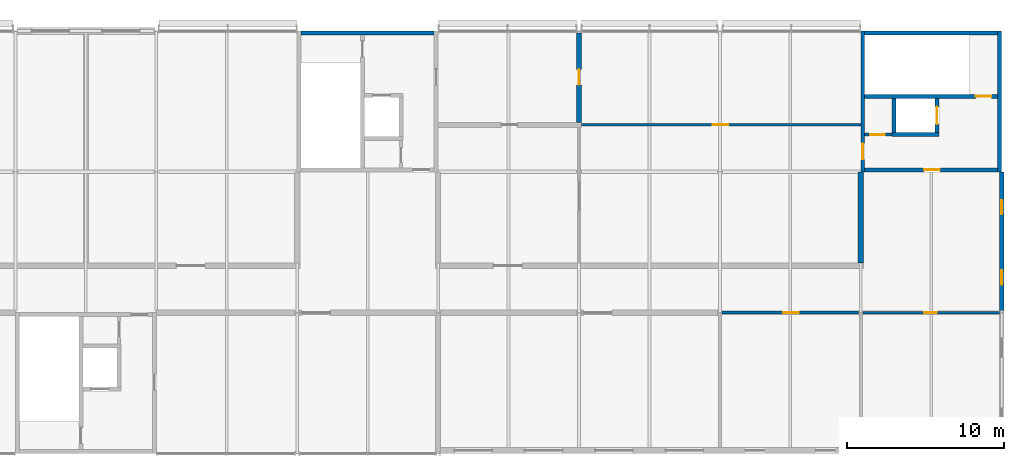
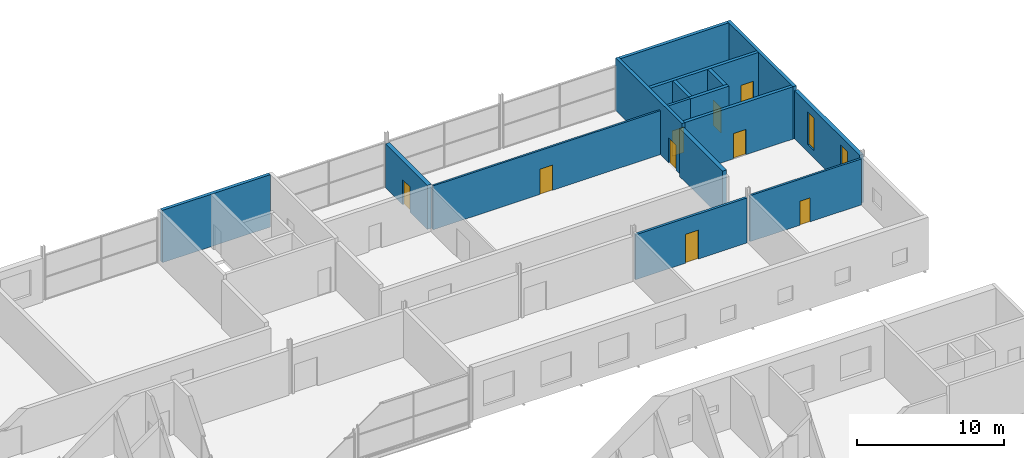
# One storey, part 131 of 138: 16 walls, 9 doors, 2 windows, 11 openings.
"""IFC4 building model written with IfcOpenShell, lengths in metres."""

from ifc_helpers import new_model, si_unit, direction, frame, frame_2d, origin, place, context, subcontext, project, spatial, rectangle, extrude, material, layer, layer_set, type_object, element, fill, save


model = new_model("IFC4")

# Units and contexts
model_context = context("Model", 3, precision=1e-05, world=origin(), true_north=direction((0.0, 1.0)))
body_context = subcontext(model_context, "Body", "Model", "MODEL_VIEW")
ifc_project = project(units=[si_unit("LENGTHUNIT", "METRE"), si_unit("AREAUNIT", "SQUARE_METRE"), si_unit("VOLUMEUNIT", "CUBIC_METRE"), si_unit("PLANEANGLEUNIT", "RADIAN"), si_unit("MASSUNIT", "GRAM", prefix="KILO")], contexts=[model_context])

# Site, building, storey
site_placement = place(None, origin())
site = spatial("IfcSite", under=ifc_project, at=site_placement, CompositionType="ELEMENT")
building_placement = place(site_placement, origin())
building = spatial("IfcBuilding", under=site, at=building_placement, Name="Corbel Yard City Hall", CompositionType="ELEMENT")
storey_placement = place(building_placement, frame((0.0, 0.0, 10.5)))
storey = spatial("IfcBuildingStorey", under=building, at=storey_placement, Name="L02", CompositionType="ELEMENT", Elevation=10.5)

# Wall
ifc_material_1 = material(Name="Concrete N50 (50 MPa)", Category="concrete")
ifc_layer_1 = layer(ifc_material_1, 0.25)
ifc_layer_set_1 = layer_set([ifc_layer_1], Name="Concrete N50 (50 MPa)")
wall_type_1 = type_object("IfcWallType", Name="Core cell wall 250", PredefinedType="SHEAR", material=ifc_layer_set_1)
wall_1_placement = place(storey_placement, frame((135.25, 116.875, 0.0), z_axis=(0.0, 0.0, 1.0), x_axis=(1.0, 0.0, 0.0)))
element("IfcWall", 1, at=wall_1_placement, inside=storey, type_object=wall_type_1, Name="Core PC-N3 north wall", PredefinedType="SHEAR", context=body_context, shape_type="SweptSolid", body=[
    extrude(rectangle(XDim=8.5, YDim=0.25, at=frame_2d((4.25, 0.0))), origin(), (0.0, 0.0, 1.0), 4.35009765625),
])

# Wall, opening, door
wall_2_placement = place(storey_placement, frame((171.125, 108.0, 0.0), z_axis=(0.0, 0.0, 1.0), x_axis=(0.0, 1.0, 0.0)))
wall_2 = element("IfcWall", 2, at=wall_2_placement, inside=storey, type_object=wall_type_1, Name="Core PC-N4 west wall", PredefinedType="SHEAR", context=body_context, shape_type="SweptSolid", body=[
    extrude(rectangle(XDim=9.0, YDim=0.25, at=frame_2d((4.5, 0.0))), origin(), (0.0, 0.0, 1.0), 4.35009765625),
])
opening_1_placement = place(wall_2_placement, frame((0.800048828125, 0.0, 0.0)))
opening_1 = element("IfcOpeningElement", 3, at=opening_1_placement, cuts=wall_2, Name="Opening L02-146", PredefinedType="OPENING", context=body_context, shape_type="SweptSolid", body=[
    extrude(rectangle(XDim=1.0, YDim=2.10009765625, at=frame_2d((0.5, 1.050048828125))), frame((0.0, 0.135009765625, 0.0), z_axis=(0.0, -1.0, 0.0), x_axis=(1.0, 0.0, 0.0)), (0.0, 0.0, 1.0), 0.27001953125),
])
ifc_material_2 = material(Name="Steel Grade G250", Category="steel")
door_type_1 = type_object("IfcDoorType", Name="FS1", OperationType="SINGLE_SWING_LEFT", PredefinedType="DOOR", material=ifc_material_2)
door_1_placement = place(opening_1_placement, origin())
door_1 = element("IfcDoor", 4, at=door_1_placement, inside=storey, type_object=door_type_1, Name="Door Lift Lobby", OperationType="SINGLE_SWING_RIGHT", OverallHeight=2.10009765625, OverallWidth=1.0, PredefinedType="DOOR", context=body_context, shape_type="SweptSolid", body=[
    extrude(rectangle(XDim=1.0, YDim=2.10009765625, at=frame_2d((0.5, 1.050048828125))), frame((0.0, 0.02490234375, 0.0), z_axis=(0.0, -1.0, 0.0), x_axis=(1.0, 0.0, 0.0)), (0.0, 0.0, 1.0), 0.050048828125),
])
fill(opening_1, door_1)

# Wall
wall_3_placement = place(storey_placement, frame((179.875, 108.0, 0.0), z_axis=(0.0, 0.0, 1.0), x_axis=(0.0, 1.0, 0.0)))
element("IfcWall", 5, at=wall_3_placement, inside=storey, type_object=wall_type_1, Name="Core PC-N4 east wall", PredefinedType="SHEAR", context=body_context, shape_type="SweptSolid", body=[
    extrude(rectangle(XDim=9.0, YDim=0.25, at=frame_2d((4.5, 0.0))), origin(), (0.0, 0.0, 1.0), 4.35009765625),
])

# Wall, opening, door
wall_4_placement = place(storey_placement, frame((171.25, 108.125, 0.0), z_axis=(0.0, 0.0, 1.0), x_axis=(1.0, 0.0, 0.0)))
wall_4 = element("IfcWall", 6, at=wall_4_placement, inside=storey, type_object=wall_type_1, Name="Core PC-N4 south wall", PredefinedType="SHEAR", context=body_context, shape_type="SweptSolid", body=[
    extrude(rectangle(XDim=8.5, YDim=0.25, at=frame_2d((4.25, 0.0))), origin(), (0.0, 0.0, 1.0), 4.35009765625),
])
opening_2_placement = place(wall_4_placement, frame((3.800048828125, 0.0, 0.0)))
opening_2 = element("IfcOpeningElement", 7, at=opening_2_placement, cuts=wall_4, Name="Opening L02-145", PredefinedType="OPENING", context=body_context, shape_type="SweptSolid", body=[
    extrude(rectangle(XDim=1.0, YDim=2.10009765625, at=frame_2d((0.5, 1.050048828125))), frame((0.0, 0.135009765625, 0.0), z_axis=(0.0, -1.0, 0.0), x_axis=(1.0, 0.0, 0.0)), (0.0, 0.0, 1.0), 0.27001953125),
])
door_2_placement = place(opening_2_placement, origin())
door_2 = element("IfcDoor", 8, at=door_2_placement, inside=storey, type_object=door_type_1, Name="Door Lift Lobby", OperationType="SINGLE_SWING_RIGHT", OverallHeight=2.10009765625, OverallWidth=1.0, PredefinedType="DOOR", context=body_context, shape_type="SweptSolid", body=[
    extrude(rectangle(XDim=1.0, YDim=2.10009765625, at=frame_2d((0.5, 1.050048828125))), frame((0.0, 0.02490234375, 0.0), z_axis=(0.0, -1.0, 0.0), x_axis=(1.0, 0.0, 0.0)), (0.0, 0.0, 1.0), 0.050048828125),
])
fill(opening_2, door_2)

# Wall
wall_5_placement = place(storey_placement, frame((171.25, 116.875, 0.0), z_axis=(0.0, 0.0, 1.0), x_axis=(1.0, 0.0, 0.0)))
element("IfcWall", 9, at=wall_5_placement, inside=storey, type_object=wall_type_1, Name="Core PC-N4 north wall", PredefinedType="SHEAR", context=body_context, shape_type="SweptSolid", body=[
    extrude(rectangle(XDim=8.5, YDim=0.25, at=frame_2d((4.25, 0.0))), origin(), (0.0, 0.0, 1.0), 4.35009765625),
])

# Wall, openings, windows
ifc_material_3 = material(Name="Sandstone cladding", Category="masonry")
ifc_layer_2 = layer(ifc_material_3, 0.0400390625)
ifc_material_4 = material(Name="Air cavity", Category="air")
ifc_layer_3 = layer(ifc_material_4, 0.0400390625)
ifc_material_5 = material(Name="Concrete block", Category="concrete")
ifc_layer_4 = layer(ifc_material_5, 0.18994140625)
ifc_material_6 = material(Name="Gypsum plasterboard", Category="gypsum")
ifc_layer_5 = layer(ifc_material_6, 0.030029296875)
ifc_layer_set_2 = layer_set([ifc_layer_2, ifc_layer_3, ifc_layer_4, ifc_layer_5], Name="Concrete block")
wall_type_2 = type_object("IfcWallType", Name="EW1", PredefinedType="SOLIDWALL", material=ifc_layer_set_2)
wall_6_placement = place(storey_placement, frame((180.0, 99.126953125, 0.0), z_axis=(0.0, 0.0, 1.0), x_axis=(0.0, 1.0, 0.0)))
wall_6 = element("IfcWall", 10, at=wall_6_placement, inside=storey, type_object=wall_type_2, Name="External wall", PredefinedType="SOLIDWALL", context=body_context, shape_type="SweptSolid", body=[
    extrude(rectangle(XDim=8.873046875, YDim=0.300048828125, at=frame_2d((4.4365234375, 0.0))), origin(), (0.0, 0.0, 1.0), 3.990966796875),
])
opening_3_placement = place(wall_6_placement, frame((1.673095703125, 0.0, 0.60009765625)))
opening_3 = element("IfcOpeningElement", 11, at=opening_3_placement, cuts=wall_6, Name="Opening WN14", PredefinedType="OPENING", context=body_context, shape_type="SweptSolid", body=[
    extrude(rectangle(XDim=0.89990234375, YDim=2.699951171875, at=frame_2d((0.449951171875, 1.35009765625))), frame((0.0, 0.159912109375, 0.0), z_axis=(0.0, -1.0, 0.0), x_axis=(1.0, 0.0, 0.0)), (0.0, 0.0, 1.0), 0.320068359375),
])
opening_4_placement = place(wall_6_placement, frame((6.173095703125, 0.0, 0.60009765625)))
opening_4 = element("IfcOpeningElement", 12, at=opening_4_placement, cuts=wall_6, Name="Opening WN14", PredefinedType="OPENING", context=body_context, shape_type="SweptSolid", body=[
    extrude(rectangle(XDim=0.89990234375, YDim=2.699951171875, at=frame_2d((0.449951171875, 1.35009765625))), frame((0.0, 0.159912109375, 0.0), z_axis=(0.0, -1.0, 0.0), x_axis=(1.0, 0.0, 0.0)), (0.0, 0.0, 1.0), 0.320068359375),
])
ifc_material_7 = material(Name="Aluminium frame, double glazed low-e glass", Category="aluminium")
window_type = type_object("IfcWindowType", Name="WN14", PartitioningType="SINGLE_PANEL", PredefinedType="WINDOW", material=ifc_material_7)
window_1_placement = place(opening_3_placement, origin())
window_1 = element("IfcWindow", 13, at=window_1_placement, inside=storey, type_object=window_type, Name="Window WN14 L02", OverallHeight=2.699951171875, OverallWidth=0.89990234375, PartitioningType="SINGLE_PANEL", PredefinedType="WINDOW", context=body_context, shape_type="SweptSolid", body=[
    extrude(rectangle(XDim=0.89990234375, YDim=2.699951171875, at=frame_2d((0.449951171875, 1.35009765625))), frame((0.0, 0.030029296875, 0.0), z_axis=(0.0, -1.0, 0.0), x_axis=(1.0, 0.0, 0.0)), (0.0, 0.0, 1.0), 0.06005859375),
])
fill(opening_3, window_1)
window_2_placement = place(opening_4_placement, origin())
window_2 = element("IfcWindow", 14, at=window_2_placement, inside=storey, type_object=window_type, Name="Window WN14 L02", OverallHeight=2.699951171875, OverallWidth=0.89990234375, PartitioningType="SINGLE_PANEL", PredefinedType="WINDOW", context=body_context, shape_type="SweptSolid", body=[
    extrude(rectangle(XDim=0.89990234375, YDim=2.699951171875, at=frame_2d((0.449951171875, 1.35009765625))), frame((0.0, 0.030029296875, 0.0), z_axis=(0.0, -1.0, 0.0), x_axis=(1.0, 0.0, 0.0)), (0.0, 0.0, 1.0), 0.06005859375),
])
fill(opening_4, window_2)

# Wall, opening, door
ifc_material_8 = material(Name="Concrete N40 (40 MPa)", Category="concrete")
ifc_layer_6 = layer(ifc_material_8, 0.25)
ifc_layer_set_3 = layer_set([ifc_layer_6], Name="Concrete N40 (40 MPa)")
wall_type_3 = type_object("IfcWallType", Name="IW2", PredefinedType="SOLIDWALL", material=ifc_layer_set_3)
wall_7_placement = place(storey_placement, frame((179.75, 112.824951171875, 0.0), z_axis=(0.0, 0.0, 1.0), x_axis=(-1.0, 0.0, 0.0)))
wall_7 = element("IfcWall", 15, at=wall_7_placement, inside=storey, type_object=wall_type_3, Name="Stair enclosure wall", PredefinedType="SOLIDWALL", context=body_context, shape_type="SweptSolid", body=[
    extrude(rectangle(XDim=8.5, YDim=0.25, at=frame_2d((4.25, 0.0))), origin(), (0.0, 0.0, 1.0), 4.35009765625),
])
opening_5_placement = place(wall_7_placement, frame((0.39990234375, 0.0, 0.0)))
opening_5 = element("IfcOpeningElement", 16, at=opening_5_placement, cuts=wall_7, Name="Opening L02-133", PredefinedType="OPENING", context=body_context, shape_type="SweptSolid", body=[
    extrude(rectangle(XDim=1.0, YDim=2.10009765625, at=frame_2d((0.5, 1.050048828125))), frame((0.0, 0.135009765625, 0.0), z_axis=(0.0, -1.0, 0.0), x_axis=(1.0, 0.0, 0.0)), (0.0, 0.0, 1.0), 0.27001953125),
])
door_3_placement = place(opening_5_placement, frame((1.0, 0.0, 0.0), z_axis=(0.0, 0.0, 1.0), x_axis=(-1.0, 0.0, 0.0)))
door_3 = element("IfcDoor", 17, at=door_3_placement, inside=storey, type_object=door_type_1, Name="Door Exit Stair 19", OperationType="SINGLE_SWING_RIGHT", OverallHeight=2.10009765625, OverallWidth=1.0, PredefinedType="DOOR", context=body_context, shape_type="SweptSolid", body=[
    extrude(rectangle(XDim=1.0, YDim=2.10009765625, at=frame_2d((0.5, 1.050048828125))), frame((0.0, 0.02490234375, 0.0), z_axis=(0.0, -1.0, 0.0), x_axis=(1.0, 0.0, 0.0)), (0.0, 0.0, 1.0), 0.050048828125),
])
fill(opening_5, door_3)

# Walls
wall_8_placement = place(storey_placement, frame((173.0, 110.375, 0.0), z_axis=(0.0, 0.0, 1.0), x_axis=(1.0, 0.0, 0.0)))
element("IfcWall", 18, at=wall_8_placement, inside=storey, type_object=wall_type_3, Name="Lift LP19 shaft wall", PredefinedType="SOLIDWALL", context=body_context, shape_type="SweptSolid", body=[
    extrude(rectangle(XDim=3.0, YDim=0.25, at=frame_2d((1.5, 0.0))), origin(), (0.0, 0.0, 1.0), 4.35009765625),
])
wall_9_placement = place(storey_placement, frame((173.125, 110.5, 0.0), z_axis=(0.0, 0.0, 1.0), x_axis=(0.0, 1.0, 0.0)))
element("IfcWall", 19, at=wall_9_placement, inside=storey, type_object=wall_type_3, Name="Lift LP19 shaft wall", PredefinedType="SOLIDWALL", context=body_context, shape_type="SweptSolid", body=[
    extrude(rectangle(XDim=2.199951171875, YDim=0.25, at=frame_2d((1.10009765625, 0.0))), origin(), (0.0, 0.0, 1.0), 4.35009765625),
])

# Wall, opening, door
wall_10_placement = place(storey_placement, frame((175.875, 110.5, 0.0), z_axis=(0.0, 0.0, 1.0), x_axis=(0.0, 1.0, 0.0)))
wall_10 = element("IfcWall", 20, at=wall_10_placement, inside=storey, type_object=wall_type_3, Name="Lift LP19 shaft wall", PredefinedType="SOLIDWALL", context=body_context, shape_type="SweptSolid", body=[
    extrude(rectangle(XDim=2.199951171875, YDim=0.25, at=frame_2d((1.10009765625, 0.0))), origin(), (0.0, 0.0, 1.0), 4.35009765625),
])
opening_6_placement = place(wall_10_placement, frame((0.550048828125, 0.0, 0.0)))
opening_6 = element("IfcOpeningElement", 21, at=opening_6_placement, cuts=wall_10, Name="Opening L02-124", PredefinedType="OPENING", context=body_context, shape_type="SweptSolid", body=[
    extrude(rectangle(XDim=1.10009765625, YDim=2.10009765625, at=frame_2d((0.550048828125, 1.050048828125))), frame((0.0, 0.135009765625, 0.0), z_axis=(0.0, -1.0, 0.0), x_axis=(1.0, 0.0, 0.0)), (0.0, 0.0, 1.0), 0.27001953125),
])
ifc_material_9 = material(Name="Stainless steel Grade 316", Category="steel")
door_type_2 = type_object("IfcDoorType", Name="LD1", OperationType="DOUBLE_DOOR_SLIDING", PredefinedType="DOOR", material=ifc_material_9)
door_4_placement = place(opening_6_placement, origin())
door_4 = element("IfcDoor", 22, at=door_4_placement, inside=storey, type_object=door_type_2, Name="Lift LP19 landing door", OperationType="DOUBLE_DOOR_SLIDING", OverallHeight=2.10009765625, OverallWidth=1.10009765625, PredefinedType="DOOR", context=body_context, shape_type="SweptSolid", body=[
    extrude(rectangle(XDim=1.10009765625, YDim=2.10009765625, at=frame_2d((0.550048828125, 1.050048828125))), frame((0.0, 0.02490234375, 0.0), z_axis=(0.0, -1.0, 0.0), x_axis=(1.0, 0.0, 0.0)), (0.0, 0.0, 1.0), 0.050048828125),
])
fill(opening_6, door_4)

ifc_layer_7 = layer(ifc_material_6, 0.031982421875)
ifc_material_10 = material(Name="Steel Grade G550 (550 MPa yield)", Category="steel")
ifc_layer_8 = layer(ifc_material_10, 0.260986328125)
ifc_layer_9 = layer(ifc_material_6, 0.031982421875)
ifc_layer_set_4 = layer_set([ifc_layer_7, ifc_layer_8, ifc_layer_9], Name="Steel Grade G550 (550 MPa yield)")
wall_type_4 = type_object("IfcWallType", Name="PT20", PredefinedType="PARTITIONING", material=ifc_layer_set_4)
wall_11_placement = place(storey_placement, frame((153.0, 111.16259765625, 0.0), z_axis=(0.0, 0.0, 1.0), x_axis=(0.0, 1.0, 0.0)))
wall_11 = element("IfcWall", 23, at=wall_11_placement, inside=storey, type_object=wall_type_4, Name="Acoustic partition", PredefinedType="PARTITIONING", context=body_context, shape_type="SweptSolid", body=[
    extrude(rectangle(XDim=5.71044921875, YDim=0.324951171875, at=frame_2d((2.855224609375, 0.0))), origin(), (0.0, 0.0, 1.0), 3.64990234375),
])
opening_7_placement = place(wall_11_placement, frame((2.387451171875, 0.0, 0.0)))
opening_7 = element("IfcOpeningElement", 24, at=opening_7_placement, cuts=wall_11, Name="Opening L02-180", PredefinedType="OPENING", context=body_context, shape_type="SweptSolid", body=[
    extrude(rectangle(XDim=1.0, YDim=2.10009765625, at=frame_2d((0.5, 1.050048828125))), frame((0.0, 0.17236328125, 0.0), z_axis=(0.0, -1.0, 0.0), x_axis=(1.0, 0.0, 0.0)), (0.0, 0.0, 1.0), 0.344970703125),
])
ifc_material_11 = material(Name="Timber", Category="wood")
door_type_3 = type_object("IfcDoorType", Name="D1", OperationType="SINGLE_SWING_LEFT", PredefinedType="DOOR", material=ifc_material_11)
door_5_placement = place(opening_7_placement, origin())
door_5 = element("IfcDoor", 25, at=door_5_placement, inside=storey, type_object=door_type_3, Name="Door Lord Mayor's Office", OperationType="SINGLE_SWING_LEFT", OverallHeight=2.10009765625, OverallWidth=1.0, PredefinedType="DOOR", context=body_context, shape_type="SweptSolid", body=[
    extrude(rectangle(XDim=1.0, YDim=2.10009765625, at=frame_2d((0.5, 1.050048828125))), frame((0.0, 0.02490234375, 0.0), z_axis=(0.0, -1.0, 0.0), x_axis=(1.0, 0.0, 0.0)), (0.0, 0.0, 1.0), 0.050048828125),
])
fill(opening_7, door_5)

# Wall
wall_12_placement = place(storey_placement, frame((171.0, 102.16259765625, 0.0), z_axis=(0.0, 0.0, 1.0), x_axis=(0.0, 1.0, 0.0)))
element("IfcWall", 26, at=wall_12_placement, inside=storey, type_object=wall_type_4, Name="Acoustic partition", PredefinedType="PARTITIONING", context=body_context, shape_type="SweptSolid", body=[
    extrude(rectangle(XDim=5.83740234375, YDim=0.324951171875, at=frame_2d((2.918701171875, 0.0))), origin(), (0.0, 0.0, 1.0), 3.998046875),
])

# Wall, opening, door
ifc_layer_10 = layer(ifc_material_6, 0.031982421875)
ifc_layer_11 = layer(ifc_material_10, 0.095947265625)
ifc_layer_12 = layer(ifc_material_6, 0.031982421875)
ifc_layer_set_5 = layer_set([ifc_layer_10, ifc_layer_11, ifc_layer_12], Name="Steel Grade G550 (550 MPa yield)")
wall_type_5 = type_object("IfcWallType", Name="PT3", PredefinedType="PARTITIONING", material=ifc_layer_set_5)
wall_13_placement = place(storey_placement, frame((171.1298828125, 99.0, 0.0), z_axis=(0.0, 0.0, 1.0), x_axis=(1.0, 0.0, 0.0)))
wall_13 = element("IfcWall", 27, at=wall_13_placement, inside=storey, type_object=wall_type_5, Name="Fire-resisting wall", PredefinedType="PARTITIONING", context=body_context, shape_type="SweptSolid", body=[
    extrude(rectangle(XDim=8.7431640625, YDim=0.159912109375, at=frame_2d((4.37158203125, 0.0))), origin(), (0.0, 0.0, 1.0), 3.822021484375),
])
opening_8_placement = place(wall_13_placement, frame((3.919921875, 0.0, 0.0)))
opening_8 = element("IfcOpeningElement", 28, at=opening_8_placement, cuts=wall_13, Name="Opening L02-171", PredefinedType="OPENING", context=body_context, shape_type="SweptSolid", body=[
    extrude(rectangle(XDim=0.800048828125, YDim=2.0, at=frame_2d((0.39990234375, 1.0))), frame((0.0, 0.08984375, 0.0), z_axis=(0.0, -1.0, 0.0), x_axis=(1.0, 0.0, 0.0)), (0.0, 0.0, 1.0), 0.179931640625),
])
door_type_4 = type_object("IfcDoorType", Name="FD31", OperationType="SINGLE_SWING_LEFT", PredefinedType="DOOR", material=ifc_material_2)
door_6_placement = place(opening_8_placement, frame((0.800048828125, 0.0, 0.0), z_axis=(0.0, 0.0, 1.0), x_axis=(-1.0, 0.0, 0.0)))
door_6 = element("IfcDoor", 29, at=door_6_placement, inside=storey, type_object=door_type_4, Name="Door Records Store", OperationType="SINGLE_SWING_RIGHT", OverallHeight=2.0, OverallWidth=0.800048828125, PredefinedType="DOOR", context=body_context, shape_type="SweptSolid", body=[
    extrude(rectangle(XDim=0.800048828125, YDim=2.0, at=frame_2d((0.39990234375, 1.0))), frame((0.0, 0.02490234375, 0.0), z_axis=(0.0, -1.0, 0.0), x_axis=(1.0, 0.0, 0.0)), (0.0, 0.0, 1.0), 0.050048828125),
])
fill(opening_8, door_6)

ifc_material_12 = material(Name="Concrete block", Category="concrete")
ifc_layer_13 = layer(ifc_material_12, 0.18994140625)
ifc_layer_set_6 = layer_set([ifc_layer_13], Name="Concrete block")
wall_type_6 = type_object("IfcWallType", Name="PT4", PredefinedType="PARTITIONING", material=ifc_layer_set_6)
wall_14_placement = place(storey_placement, frame((162.1298828125, 99.0, 0.0), z_axis=(0.0, 0.0, 1.0), x_axis=(1.0, 0.0, 0.0)))
wall_14 = element("IfcWall", 30, at=wall_14_placement, inside=storey, type_object=wall_type_6, Name="Fire-resisting block wall", PredefinedType="PARTITIONING", context=body_context, shape_type="SweptSolid", body=[
    extrude(rectangle(XDim=8.740234375, YDim=0.18994140625, at=frame_2d((4.3701171875, 0.0))), origin(), (0.0, 0.0, 1.0), 3.738037109375),
])
opening_9_placement = place(wall_14_placement, frame((3.919921875, 0.0, 0.0)))
opening_9 = element("IfcOpeningElement", 31, at=opening_9_placement, cuts=wall_14, Name="Opening L02-170", PredefinedType="OPENING", context=body_context, shape_type="SweptSolid", body=[
    extrude(rectangle(XDim=1.0, YDim=2.39990234375, at=frame_2d((0.5, 1.199951171875))), frame((0.0, 0.10498046875, 0.0), z_axis=(0.0, -1.0, 0.0), x_axis=(1.0, 0.0, 0.0)), (0.0, 0.0, 1.0), 0.2099609375),
])
door_type_5 = type_object("IfcDoorType", Name="FS33", OperationType="SINGLE_SWING_RIGHT", PredefinedType="DOOR", material=ifc_material_2)
door_7_placement = place(opening_9_placement, frame((1.0, 0.0, 0.0), z_axis=(0.0, 0.0, 1.0), x_axis=(-1.0, 0.0, 0.0)))
door_7 = element("IfcDoor", 32, at=door_7_placement, inside=storey, type_object=door_type_5, Name="Door Services Riser Room", OperationType="SINGLE_SWING_LEFT", OverallHeight=2.39990234375, OverallWidth=1.0, PredefinedType="DOOR", context=body_context, shape_type="SweptSolid", body=[
    extrude(rectangle(XDim=1.0, YDim=2.39990234375, at=frame_2d((0.5, 1.199951171875))), frame((0.0, 0.02490234375, 0.0), z_axis=(0.0, -1.0, 0.0), x_axis=(1.0, 0.0, 0.0)), (0.0, 0.0, 1.0), 0.050048828125),
])
fill(opening_9, door_7)

wall_15_placement = place(storey_placement, frame((171.25, 110.375, 0.0), z_axis=(0.0, 0.0, 1.0), x_axis=(1.0, 0.0, 0.0)))
wall_15 = element("IfcWall", 33, at=wall_15_placement, inside=storey, type_object=wall_type_6, Name="Fire-resisting block wall", PredefinedType="PARTITIONING", context=body_context, shape_type="SweptSolid", body=[
    extrude(rectangle(XDim=1.75, YDim=0.18994140625, at=frame_2d((0.875, 0.0))), origin(), (0.0, 0.0, 1.0), 4.35009765625),
])
opening_10_placement = place(wall_15_placement, frame((0.3525390625, 0.0, 0.0)))
opening_10 = element("IfcOpeningElement", 34, at=opening_10_placement, cuts=wall_15, Name="Opening L02-134", PredefinedType="OPENING", context=body_context, shape_type="SweptSolid", body=[
    extrude(rectangle(XDim=0.919921875, YDim=2.10009765625, at=frame_2d((0.4599609375, 1.050048828125))), frame((0.0, 0.10498046875, 0.0), z_axis=(0.0, -1.0, 0.0), x_axis=(1.0, 0.0, 0.0)), (0.0, 0.0, 1.0), 0.2099609375),
])
door_type_6 = type_object("IfcDoorType", Name="FS5", OperationType="SINGLE_SWING_RIGHT", PredefinedType="DOOR", material=ifc_material_2)
door_8_placement = place(opening_10_placement, origin())
door_8 = element("IfcDoor", 35, at=door_8_placement, inside=storey, type_object=door_type_6, Name="Door Service Riser", OperationType="SINGLE_SWING_LEFT", OverallHeight=2.10009765625, OverallWidth=0.919921875, PredefinedType="DOOR", context=body_context, shape_type="SweptSolid", body=[
    extrude(rectangle(XDim=0.919921875, YDim=2.10009765625, at=frame_2d((0.4599609375, 1.050048828125))), frame((0.0, 0.02490234375, 0.0), z_axis=(0.0, -1.0, 0.0), x_axis=(1.0, 0.0, 0.0)), (0.0, 0.0, 1.0), 0.050048828125),
])
fill(opening_10, door_8)

ifc_layer_14 = layer(ifc_material_6, 0.031982421875)
ifc_layer_15 = layer(ifc_material_10, 0.0859375)
ifc_layer_16 = layer(ifc_material_6, 0.031982421875)
ifc_layer_set_7 = layer_set([ifc_layer_14, ifc_layer_15, ifc_layer_16], Name="Steel Grade G550 (550 MPa yield)")
wall_type_7 = type_object("IfcWallType", Name="PT7", PredefinedType="PARTITIONING", material=ifc_layer_set_7)
wall_16_placement = place(storey_placement, frame((153.16259765625, 111.0, 0.0), z_axis=(0.0, 0.0, 1.0), x_axis=(1.0, 0.0, 0.0)))
wall_16 = element("IfcWall", 36, at=wall_16_placement, inside=storey, type_object=wall_type_7, Name="Suite partition", PredefinedType="PARTITIONING", context=body_context, shape_type="SweptSolid", body=[
    extrude(rectangle(XDim=17.83740234375, YDim=0.14990234375, at=frame_2d((8.918701171875, 0.0))), origin(), (0.0, 0.0, 1.0), 3.64990234375),
])
opening_11_placement = place(wall_16_placement, frame((8.387451171875, 0.0, 0.0)))
opening_11 = element("IfcOpeningElement", 37, at=opening_11_placement, cuts=wall_16, Name="Opening L02-181", PredefinedType="OPENING", context=body_context, shape_type="SweptSolid", body=[
    extrude(rectangle(XDim=1.0, YDim=2.10009765625, at=frame_2d((0.5, 1.050048828125))), frame((0.0, 0.0849609375, 0.0), z_axis=(0.0, -1.0, 0.0), x_axis=(1.0, 0.0, 0.0)), (0.0, 0.0, 1.0), 0.169921875),
])
door_9_placement = place(opening_11_placement, origin())
door_9 = element("IfcDoor", 38, at=door_9_placement, inside=storey, type_object=door_type_3, Name="Door Lord Mayor's Office", OperationType="SINGLE_SWING_LEFT", OverallHeight=2.10009765625, OverallWidth=1.0, PredefinedType="DOOR", context=body_context, shape_type="SweptSolid", body=[
    extrude(rectangle(XDim=1.0, YDim=2.10009765625, at=frame_2d((0.5, 1.050048828125))), frame((0.0, 0.02490234375, 0.0), z_axis=(0.0, -1.0, 0.0), x_axis=(1.0, 0.0, 0.0)), (0.0, 0.0, 1.0), 0.050048828125),
])
fill(opening_11, door_9)

save(model, "model.ifc")
